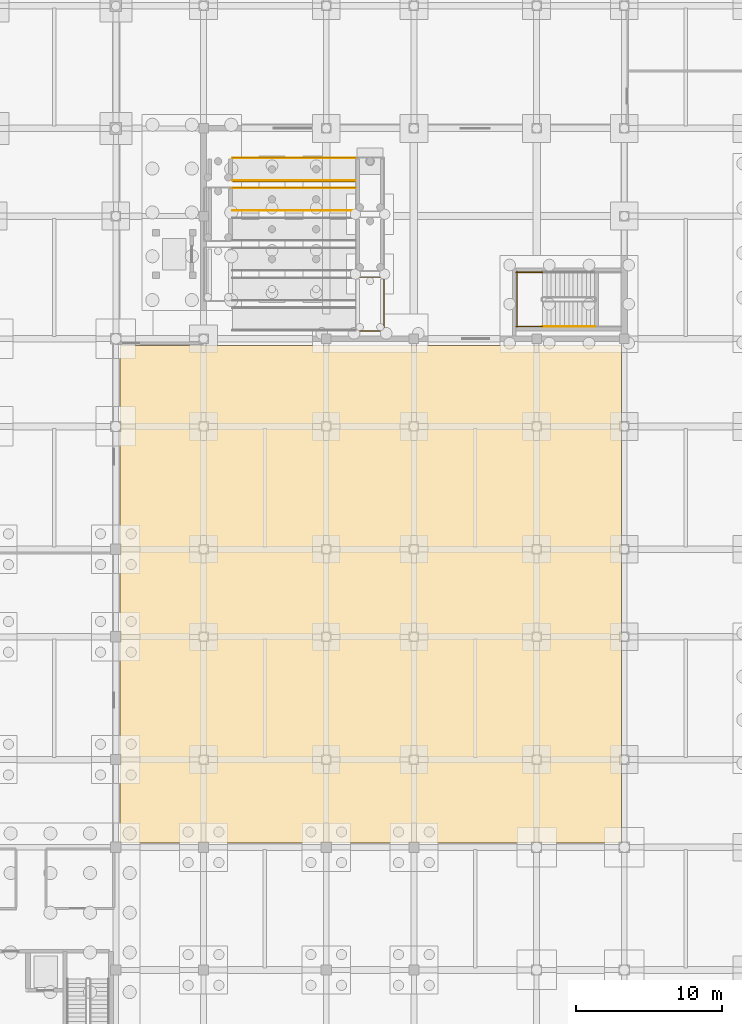
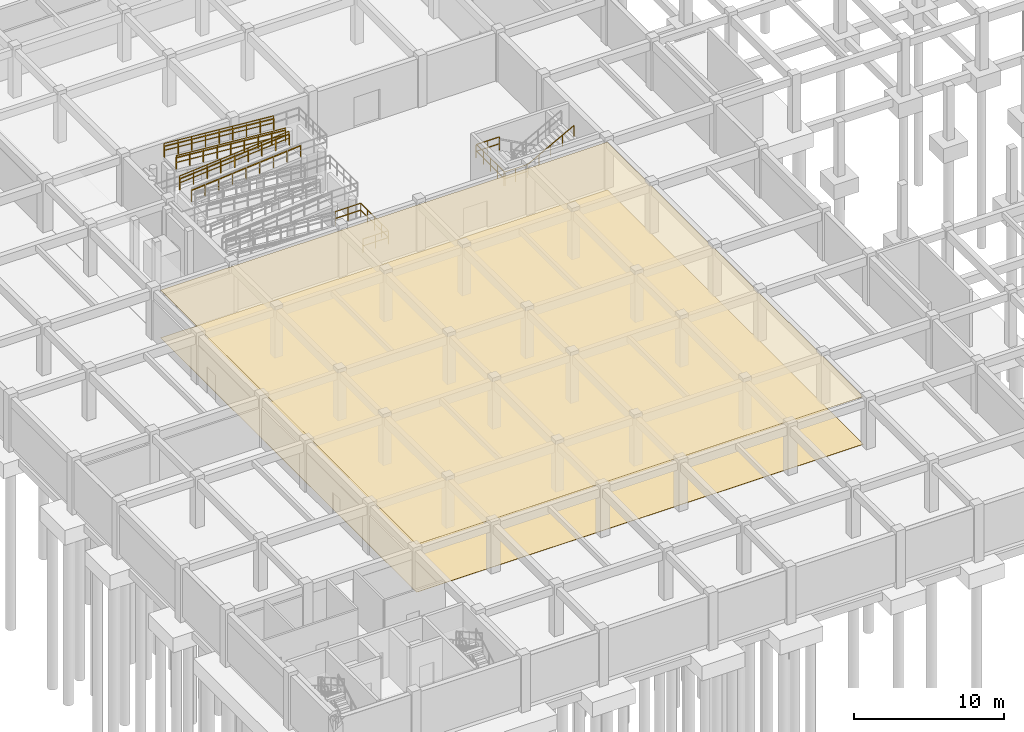
# One storey, part 35 of 40: 12 railings, 2 coverings.
"""IFC4 building model written with IfcOpenShell, lengths in metres."""

import ifcopenshell
import ifcopenshell.guid

model = None  # the IFC model being written
_history = None  # IfcOwnerHistory: only IFC2X3 demands one
_inside = {}  # id of a spatial element -> (the spatial element, [elements in it])
_under = {}  # id of a project, library or spatial element -> (it, [spatial elements below it])
_declared = {}  # id of a project -> (the project, [libraries it declares])
_typed = {}  # id of a type object -> (the type object, [elements of that type])
_made_of = {}  # id of a material, layer set ... -> (it, [elements and type objects made of it])


def new_model(schema):
    """Start an empty IFC model of exactly this schema.

    Asked for "IFC4X3", IfcOpenShell would pick the latest addendum, in which some entities
    have other attributes; the version numbers below select the first issue.
    IFC2X3 requires an IfcOwnerHistory on every rooted entity: one is made here for all.
    """
    global model, _history
    if schema == "IFC4X3":
        model = ifcopenshell.file(schema_version=(4, 3, 0, 0))
    else:
        model = ifcopenshell.file(schema=schema)
    _inside.clear()
    _under.clear()
    _declared.clear()
    _typed.clear()
    _made_of.clear()
    _history = None
    if model.schema == "IFC2X3":
        org = make("IfcOrganization", Name="unknown")
        user = make(
            "IfcPersonAndOrganization",
            ThePerson=make("IfcPerson", FamilyName="unknown"),
            TheOrganization=org,
        )
        app = make(
            "IfcApplication",
            ApplicationDeveloper=org,
            Version="unknown",
            ApplicationFullName="unknown",
            ApplicationIdentifier="unknown",
        )
        _history = make(
            "IfcOwnerHistory",
            OwningUser=user,
            OwningApplication=app,
            ChangeAction="ADDED",
            CreationDate=0,
        )
    return model


def make(cls, **values):
    """One entity of the class cls with the attributes given. An attribute that is None is left unset."""
    return model.create_entity(
        cls, **{name: value for name, value in values.items() if value is not None}
    )


def rooted(cls, **values):
    """An entity with a GlobalId (a new one), such as an element, a storey or a relation."""
    return make(cls, GlobalId=ifcopenshell.guid.new(), OwnerHistory=_history, **values)


def si_unit(unit_type, name, prefix=None):
    """IfcSIUnit, for example si_unit("LENGTHUNIT", "METRE", prefix="MILLI")."""
    return make("IfcSIUnit", UnitType=unit_type, Prefix=prefix, Name=name)


def assignment(units):
    """IfcUnitAssignment: the units of a project."""
    return None if units is None else make("IfcUnitAssignment", Units=units)


def point(xyz):
    """IfcCartesianPoint."""
    return None if xyz is None else make("IfcCartesianPoint", Coordinates=xyz)


def direction(xyz):
    """IfcDirection."""
    return None if xyz is None else make("IfcDirection", DirectionRatios=xyz)


def frame(location, z_axis=None, x_axis=None):
    """IfcAxis2Placement3D, a coordinate frame: its origin and axes. An axis left out is left unset."""
    return make(
        "IfcAxis2Placement3D",
        Location=point(location),
        Axis=direction(z_axis),
        RefDirection=direction(x_axis),
    )


def frame_2d(location, x_axis=None):
    """IfcAxis2Placement2D, a coordinate frame in the plane: its origin and x axis."""
    return make(
        "IfcAxis2Placement2D", Location=point(location), RefDirection=direction(x_axis)
    )


def origin():
    """The frame at (0, 0, 0) with its axes left unset."""
    return frame((0.0, 0.0, 0.0))


def origin_2d():
    """The frame at (0, 0) in the plane with its x axis left unset."""
    return frame_2d((0.0, 0.0))


def place(relative_to, where):
    """IfcLocalPlacement: puts the frame where relative to a parent placement (None: the world)."""
    return make(
        "IfcLocalPlacement", PlacementRelTo=relative_to, RelativePlacement=where
    )


def context(
    kind, dimensions, precision=None, world=None, true_north=None, identifier=None
):
    """IfcGeometricRepresentationContext, for example the 3D "Model" context."""
    return make(
        "IfcGeometricRepresentationContext",
        ContextIdentifier=identifier,
        ContextType=kind,
        CoordinateSpaceDimension=dimensions,
        Precision=precision,
        WorldCoordinateSystem=world,
        TrueNorth=true_north,
    )


def subcontext(parent, identifier, kind, view, scale=None):
    """IfcGeometricRepresentationSubContext, for example "Body" below "Model"."""
    return make(
        "IfcGeometricRepresentationSubContext",
        ContextIdentifier=identifier,
        ContextType=kind,
        ParentContext=parent,
        TargetScale=scale,
        TargetView=view,
    )


def project(units=None, contexts=None):
    """IfcProject with its units and contexts."""
    return rooted(
        "IfcProject",
        Name="project",
        RepresentationContexts=contexts,
        UnitsInContext=assignment(units),
    )


def spatial(cls, under=None, at=None, **own):
    """A site, building, storey or space (cls), placed at a placement, below another one or the project."""
    s = rooted(cls, ObjectPlacement=at, **own)
    if under is not None:
        _under.setdefault(under.id(), (under, []))[1].append(s)
    return s


def polyline(points):
    """IfcPolyline through the points."""
    return make("IfcPolyline", Points=[point(p) for p in points])


def profile(cls, at=None, kind="AREA", **sizes):
    """A parametric profile (cls). Its sizes go by their IFC names, for example OverallWidth=200.0."""
    return make(cls, ProfileType=kind, Position=at, **sizes)


def rectangle(**sizes):
    """IfcRectangleProfileDef."""
    return profile("IfcRectangleProfileDef", **sizes)


def outline(outer, holes=None, kind="AREA"):
    """IfcArbitraryClosedProfileDef: a profile drawn as a closed curve; with holes, ...WithVoids."""
    if holes is None:
        return make("IfcArbitraryClosedProfileDef", ProfileType=kind, OuterCurve=outer)
    return make(
        "IfcArbitraryProfileDefWithVoids",
        ProfileType=kind,
        OuterCurve=outer,
        InnerCurves=holes,
    )


def extrude(swept, where, along, depth):
    """IfcExtrudedAreaSolid: the profile swept, set in the frame where, extruded along a direction by depth."""
    return make(
        "IfcExtrudedAreaSolid",
        SweptArea=swept,
        Position=where,
        ExtrudedDirection=direction(along),
        Depth=depth,
    )


def shape(context_of_items, identifier, shape_type, items):
    """IfcShapeRepresentation: the items that make up one representation, for example the "Body"."""
    return make(
        "IfcShapeRepresentation",
        ContextOfItems=context_of_items,
        RepresentationIdentifier=identifier,
        RepresentationType=shape_type,
        Items=items,
    )


def material(Name=None, Category=None):
    """IfcMaterial."""
    return make("IfcMaterial", Name=Name, Category=Category)


def layer(
    of_material, thickness, ventilated=None, Name=None, Category=None, Priority=None
):
    """IfcMaterialLayer: one layer of a wall or slab, of a material (None: an air gap)."""
    return make(
        "IfcMaterialLayer",
        Material=of_material,
        LayerThickness=thickness,
        IsVentilated=ventilated,
        Name=Name,
        Category=Category,
        Priority=Priority,
    )


def layer_set(layers, Name=None):
    """IfcMaterialLayerSet."""
    return make("IfcMaterialLayerSet", MaterialLayers=layers, LayerSetName=Name)


def made_of(thing, what):
    """Note that an element or type object is made of a material, layer set ...; save() writes the relation."""
    if what is not None:
        _made_of.setdefault(what.id(), (what, []))[1].append(thing)
    return thing


def type_object(cls, material=None, **own):
    """A type object (cls), such as IfcWallType, which elements share."""
    return made_of(rooted(cls, **own), material)


def element(
    cls,
    number,
    at=None,
    inside=None,
    cuts=None,
    type_object=None,
    material=None,
    context=None,
    identifier="Body",
    shape_type=None,
    held_by="IfcProductDefinitionShape",
    body=None,
    shapes=None,
    **own,
):
    """One element of the class cls, such as IfcWall. Its Tag is "e" and its number.

    at: its placement. inside: the storey or other place that contains it. cuts: it is an
    opening in that element (IfcRelVoidsElement). A single representation is given by context,
    identifier, shape_type and body (its items); several are given by shapes. held_by: the class
    of the entity that holds the representations. save() writes the other relations.
    """
    e = rooted(cls, Tag="e%d" % number, ObjectPlacement=at, **own)
    if body is not None:
        shapes = [shape(context, identifier, shape_type, body)]
    if shapes is not None:
        e.Representation = make(held_by, Representations=shapes)
    if inside is not None:
        _inside.setdefault(inside.id(), (inside, []))[1].append(e)
    if cuts is not None:
        rooted(
            "IfcRelVoidsElement", RelatingBuildingElement=cuts, RelatedOpeningElement=e
        )
    if type_object is not None:
        _typed.setdefault(type_object.id(), (type_object, []))[1].append(e)
    return made_of(e, material)


def aggregate(whole, parts):
    """IfcRelAggregates: a whole, such as a stair, and the parts it consists of."""
    return rooted("IfcRelAggregates", RelatingObject=whole, RelatedObjects=parts)


def save(model, path):
    """Write the relations noted so far, then the file.

    IfcRelAggregates (storeys below a building ...), IfcRelContainedInSpatialStructure (elements
    in a storey), IfcRelDefinesByType, IfcRelAssociatesMaterial and IfcRelDeclares: one each for
    every whole, place, type object, material and project.
    """
    for whole, parts in _under.values():
        aggregate(whole, parts)
    for where, things in _inside.values():
        rooted(
            "IfcRelContainedInSpatialStructure",
            RelatedElements=things,
            RelatingStructure=where,
        )
    for kind, things in _typed.values():
        rooted("IfcRelDefinesByType", RelatedObjects=things, RelatingType=kind)
    for what, things in _made_of.values():
        rooted("IfcRelAssociatesMaterial", RelatedObjects=things, RelatingMaterial=what)
    for by, libraries in _declared.values():
        rooted("IfcRelDeclares", RelatingContext=by, RelatedDefinitions=libraries)
    model.write(path)


model = new_model("IFC4")

# Units and contexts
model_context = context("Model", 3, precision=1e-05, world=origin(), true_north=direction((0.0, 1.0)))
body_context = subcontext(model_context, "Body", "Model", "MODEL_VIEW")
ifc_project = project(units=[si_unit("LENGTHUNIT", "METRE"), si_unit("AREAUNIT", "SQUARE_METRE"), si_unit("VOLUMEUNIT", "CUBIC_METRE"), si_unit("PLANEANGLEUNIT", "RADIAN"), si_unit("MASSUNIT", "GRAM", prefix="KILO"), si_unit("THERMODYNAMICTEMPERATUREUNIT", "KELVIN")], contexts=[model_context])

# Site, building, storey
site_placement = place(None, origin())
site = spatial("IfcSite", under=ifc_project, at=site_placement, CompositionType="ELEMENT")
building_placement = place(site_placement, origin())
building = spatial("IfcBuilding", under=site, at=building_placement, Name="Thalorik Housing Commons", CompositionType="ELEMENT")
storey_placement = place(building_placement, frame((0.0, 0.0, -4.199951171875)))
storey = spatial("IfcBuildingStorey", under=building, at=storey_placement, Name="B1", CompositionType="ELEMENT", Elevation=-4.199951171875)

# Coverings
ifc_material_1 = material(Name="Moisture-resistant gypsum bathroom ceiling")
ifc_layer_1 = layer(ifc_material_1, 0.02490234375, Name="Moisture-resistant gypsum bathroom ceiling")
ifc_layer_set_1 = layer_set([ifc_layer_1], Name="Moisture-resistant gypsum bathroom ceiling")
covering_type_1 = type_object("IfcCoveringType", Name="ARC-COV-CEIL-04", PredefinedType="CEILING", material=ifc_layer_set_1)
covering_1_placement = place(storey_placement, frame((0.0, 0.0, 3.875)))
element("IfcCovering", 1, at=covering_1_placement, inside=storey, type_object=covering_type_1, Name="B1 Bicycle Storage Suspended Ceiling", PredefinedType="CEILING", context=body_context, shape_type="SweptSolid", body=[
    extrude(outline(polyline([(57.39990234375, 23.10009765625), (57.39990234375, 57.14990234375), (23.10009765625, 57.14990234375), (23.10009765625, 23.10009765625), (57.39990234375, 23.10009765625)])), origin(), (0.0, 0.0, 1.0), 0.02490234375),
])
ifc_material_2 = material(Name="Sprung Brazilian oak assembly hall timber floor", Category="wood")
ifc_layer_2 = layer(ifc_material_2, 0.02392578125, Name="Sprung Brazilian oak assembly hall timber floor", Category="wood")
ifc_layer_set_2 = layer_set([ifc_layer_2], Name="Sprung Brazilian oak assembly hall timber floor")
covering_type_2 = type_object("IfcCoveringType", Name="ARC-COV-FLR-04", PredefinedType="FLOORING", material=ifc_layer_set_2)
covering_2_placement = place(storey_placement, origin())
element("IfcCovering", 2, at=covering_2_placement, inside=storey, type_object=covering_type_2, Name="B1 Bicycle Storage Flooring", PredefinedType="FLOORING", context=body_context, shape_type="SweptSolid", body=[
    extrude(outline(polyline([(57.39990234375, 23.10009765625), (57.39990234375, 57.14990234375), (23.10009765625, 57.14990234375), (23.10009765625, 23.10009765625), (57.39990234375, 23.10009765625)])), origin(), (0.0, 0.0, 1.0), 0.02392578125),
])

# Railings
ifc_material_3 = material(Name="Steel S355", Category="steel")
railing_type_1 = type_object("IfcRailingType", Name="ARC-RL-RAMP-092", PredefinedType="HANDRAIL", material=ifc_material_3)
for number, where, name in (
    (3, (30.800048828125, 66.3798828125, 2.800048828125), "Metro Ramp Flight 5 S Handrail"),
    (4, (30.800048828125, 67.919921875, 2.800048828125), "Metro Ramp Flight 5 N Handrail"),
):
    element("IfcRailing", number, at=place(storey_placement, frame(where)), inside=storey, type_object=railing_type_1, Name=name, PredefinedType="HANDRAIL", context=body_context, shape_type="SweptSolid", body=[
        extrude(rectangle(XDim=0.048095703125, YDim=0.048095703125, at=origin_2d()), frame((0.0, 0.0, 0.89599609375), z_axis=(0.996546157741, 0.0, 0.08304068576), x_axis=(0.0, 1.0, 0.0)), (0.0, 0.0, 1.0), 8.428955078125),
        extrude(rectangle(XDim=0.0419921875, YDim=0.0419921875, at=origin_2d()), origin(), (0.0, 0.0, 1.0), 0.871826171875),
        extrude(rectangle(XDim=0.0419921875, YDim=0.0419921875, at=origin_2d()), frame((1.050048828125, 0.0, 0.08740234375)), (0.0, 0.0, 1.0), 0.871826171875),
        extrude(rectangle(XDim=0.0419921875, YDim=0.0419921875, at=origin_2d()), frame((2.10009765625, 0.0, 0.175048828125)), (0.0, 0.0, 1.0), 0.871826171875),
        extrude(rectangle(XDim=0.0419921875, YDim=0.0419921875, at=origin_2d()), frame((3.14990234375, 0.0, 0.262451171875)), (0.0, 0.0, 1.0), 0.871826171875),
        extrude(rectangle(XDim=0.0419921875, YDim=0.0419921875, at=origin_2d()), frame((4.199951171875, 0.0, 0.35009765625)), (0.0, 0.0, 1.0), 0.871826171875),
        extrude(rectangle(XDim=0.0419921875, YDim=0.0419921875, at=origin_2d()), frame((5.25, 0.0, 0.4375)), (0.0, 0.0, 1.0), 0.871826171875),
        extrude(rectangle(XDim=0.0419921875, YDim=0.0419921875, at=origin_2d()), frame((6.2998046875, 0.0, 0.52490234375)), (0.0, 0.0, 1.0), 0.871826171875),
        extrude(rectangle(XDim=0.0419921875, YDim=0.0419921875, at=origin_2d()), frame((7.349853515625, 0.0, 0.612548828125)), (0.0, 0.0, 1.0), 0.871826171875),
        extrude(rectangle(XDim=0.0419921875, YDim=0.0419921875, at=origin_2d()), frame((8.39990234375, 0.0, 0.699951171875)), (0.0, 0.0, 1.0), 0.871826171875),
    ])
for number, where, name in (
    (5, (39.199951171875, 68.429931640625, 3.5), "Metro Ramp Flight 6 S Handrail"),
    (6, (39.199951171875, 69.969970703125, 3.5), "Metro Ramp Flight 6 N Handrail"),
):
    element("IfcRailing", number, at=place(storey_placement, frame(where)), inside=storey, type_object=railing_type_1, Name=name, PredefinedType="HANDRAIL", context=body_context, shape_type="SweptSolid", body=[
        extrude(rectangle(XDim=0.048095703125, YDim=0.048095703125, at=origin_2d()), frame((0.0, 0.0, 0.89599609375), z_axis=(-0.996546157741, 0.0, 0.08304068576), x_axis=(0.0, -1.0, 0.0)), (0.0, 0.0, 1.0), 8.428955078125),
        extrude(rectangle(XDim=0.0419921875, YDim=0.0419921875, at=origin_2d()), origin(), (0.0, 0.0, 1.0), 0.871826171875),
        extrude(rectangle(XDim=0.0419921875, YDim=0.0419921875, at=origin_2d()), frame((-1.050048828125, 0.0, 0.08740234375)), (0.0, 0.0, 1.0), 0.871826171875),
        extrude(rectangle(XDim=0.0419921875, YDim=0.0419921875, at=origin_2d()), frame((-2.10009765625, 0.0, 0.175048828125)), (0.0, 0.0, 1.0), 0.871826171875),
        extrude(rectangle(XDim=0.0419921875, YDim=0.0419921875, at=origin_2d()), frame((-3.14990234375, 0.0, 0.262451171875)), (0.0, 0.0, 1.0), 0.871826171875),
        extrude(rectangle(XDim=0.0419921875, YDim=0.0419921875, at=origin_2d()), frame((-4.199951171875, 0.0, 0.35009765625)), (0.0, 0.0, 1.0), 0.871826171875),
        extrude(rectangle(XDim=0.0419921875, YDim=0.0419921875, at=origin_2d()), frame((-5.25, 0.0, 0.4375)), (0.0, 0.0, 1.0), 0.871826171875),
        extrude(rectangle(XDim=0.0419921875, YDim=0.0419921875, at=origin_2d()), frame((-6.2998046875, 0.0, 0.52490234375)), (0.0, 0.0, 1.0), 0.871826171875),
        extrude(rectangle(XDim=0.0419921875, YDim=0.0419921875, at=origin_2d()), frame((-7.349853515625, 0.0, 0.612548828125)), (0.0, 0.0, 1.0), 0.871826171875),
        extrude(rectangle(XDim=0.0419921875, YDim=0.0419921875, at=origin_2d()), frame((-8.39990234375, 0.0, 0.699951171875)), (0.0, 0.0, 1.0), 0.871826171875),
    ])
railing_type_2 = type_object("IfcRailingType", Name="ARC-RL-STR-GRD110", PredefinedType="GUARDRAIL", material=ifc_material_3)
for number, where, name in (
    (7, (52.0, 62.14990234375, 2.099853515625), "B1 ST-M1 stair guard 3"),
    (8, (52.0, 58.449951171875, 2.099853515625), "B1 ST-M1 stair guard 4"),
):
    element("IfcRailing", number, at=place(storey_placement, frame(where)), inside=storey, type_object=railing_type_2, Name=name, PredefinedType="GUARDRAIL", context=body_context, shape_type="SweptSolid", body=[
        extrude(rectangle(XDim=0.048095703125, YDim=0.048095703125, at=origin_2d()), frame((0.0, 0.0, 1.076171875), z_axis=(-1.0, 0.0, 0.0), x_axis=(0.0, -1.0, 0.0)), (0.0, 0.0, 1.0), 1.800048828125),
        extrude(rectangle(XDim=0.048095703125, YDim=0.048095703125, at=origin_2d()), frame((0.0, 0.0, 0.52587890625), z_axis=(-1.0, 0.0, 0.0), x_axis=(0.0, -1.0, 0.0)), (0.0, 0.0, 1.0), 1.800048828125),
        extrude(rectangle(XDim=0.0419921875, YDim=0.0419921875, at=origin_2d()), origin(), (0.0, 0.0, 1.0), 1.052001953125),
        extrude(rectangle(XDim=0.0419921875, YDim=0.0419921875, at=origin_2d()), frame((-0.89990234375, 0.0, 0.0)), (0.0, 0.0, 1.0), 1.052001953125),
        extrude(rectangle(XDim=0.0419921875, YDim=0.0419921875, at=origin_2d()), frame((-1.800048828125, 0.0, 0.0)), (0.0, 0.0, 1.0), 1.052001953125),
    ])
railing_1_placement = place(storey_placement, frame((50.25, 62.199951171875, 2.099853515625)))
element("IfcRailing", 9, at=railing_1_placement, inside=storey, type_object=railing_type_2, Name="B1 ST-M1 stair guard 5", PredefinedType="GUARDRAIL", context=body_context, shape_type="SweptSolid", body=[
    extrude(rectangle(XDim=0.048095703125, YDim=0.048095703125, at=origin_2d()), frame((0.0, 0.0, 1.076171875), z_axis=(0.0, -1.0, 0.0), x_axis=(1.0, 0.0, 0.0)), (0.0, 0.0, 1.0), 3.800048828125),
    extrude(rectangle(XDim=0.048095703125, YDim=0.048095703125, at=origin_2d()), frame((0.0, 0.0, 0.52587890625), z_axis=(0.0, -1.0, 0.0), x_axis=(1.0, 0.0, 0.0)), (0.0, 0.0, 1.0), 3.800048828125),
    extrude(rectangle(XDim=0.0419921875, YDim=0.0419921875, at=origin_2d()), origin(), (0.0, 0.0, 1.0), 1.052001953125),
    extrude(rectangle(XDim=0.0419921875, YDim=0.0419921875, at=origin_2d()), frame((0.0, -0.949951171875, 0.0)), (0.0, 0.0, 1.0), 1.052001953125),
    extrude(rectangle(XDim=0.0419921875, YDim=0.0419921875, at=origin_2d()), frame((0.0, -1.89990234375, 0.0)), (0.0, 0.0, 1.0), 1.052001953125),
    extrude(rectangle(XDim=0.0419921875, YDim=0.0419921875, at=origin_2d()), frame((0.0, -2.85009765625, 0.0)), (0.0, 0.0, 1.0), 1.052001953125),
    extrude(rectangle(XDim=0.0419921875, YDim=0.0419921875, at=origin_2d()), frame((0.0, -3.800048828125, 0.0)), (0.0, 0.0, 1.0), 1.052001953125),
])
railing_type_3 = type_object("IfcRailingType", Name="ARC-RL-STR-HR092", PredefinedType="HANDRAIL", material=ifc_material_3)
railing_2_placement = place(storey_placement, frame((52.0, 58.449951171875, 2.261474609375)))
element("IfcRailing", 10, at=railing_2_placement, inside=storey, type_object=railing_type_3, Name="B1 ST-M1 stair handrail 2", PredefinedType="HANDRAIL", context=body_context, shape_type="SweptSolid", body=[
    extrude(rectangle(XDim=0.048095703125, YDim=0.048095703125, at=origin_2d()), frame((0.0, 0.0, 0.89599609375), z_axis=(0.880474934443, 0.0, 0.474092701714), x_axis=(0.0, 1.0, 0.0)), (0.0, 0.0, 1.0), 4.0888671875),
    extrude(rectangle(XDim=0.0419921875, YDim=0.0419921875, at=origin_2d()), origin(), (0.0, 0.0, 1.0), 0.871826171875),
    extrude(rectangle(XDim=0.0419921875, YDim=0.0419921875, at=origin_2d()), frame((0.89990234375, 0.0, 0.484619140625)), (0.0, 0.0, 1.0), 0.871826171875),
    extrude(rectangle(XDim=0.0419921875, YDim=0.0419921875, at=origin_2d()), frame((1.800048828125, 0.0, 0.96923828125)), (0.0, 0.0, 1.0), 0.871826171875),
    extrude(rectangle(XDim=0.0419921875, YDim=0.0419921875, at=origin_2d()), frame((2.7001953125, 0.0, 1.453857421875)), (0.0, 0.0, 1.0), 0.871826171875),
    extrude(rectangle(XDim=0.0419921875, YDim=0.0419921875, at=origin_2d()), frame((3.60009765625, 0.0, 1.9384765625)), (0.0, 0.0, 1.0), 0.871826171875),
])
railing_type_4 = type_object("IfcRailingType", Name="ARC-RL-VOID-112", PredefinedType="GUARDRAIL", material=ifc_material_3)
railing_3_placement = place(storey_placement, frame((30.800048828125, 67.9599609375, 2.800048828125)))
element("IfcRailing", 11, at=railing_3_placement, inside=storey, type_object=railing_type_4, Name="Metro Ramp Flight 5 N Guardrail", PredefinedType="GUARDRAIL", context=body_context, shape_type="SweptSolid", body=[
    extrude(rectangle(XDim=0.048095703125, YDim=0.048095703125, at=origin_2d()), frame((0.0, 0.0, 1.09619140625), z_axis=(0.996546157741, 0.0, 0.08304068576), x_axis=(0.0, 1.0, 0.0)), (0.0, 0.0, 1.0), 8.428955078125),
    extrude(rectangle(XDim=0.048095703125, YDim=0.048095703125, at=origin_2d()), frame((0.0, 0.0, 0.5361328125), z_axis=(0.996546157741, 0.0, 0.08304068576), x_axis=(0.0, 1.0, 0.0)), (0.0, 0.0, 1.0), 8.428955078125),
    extrude(rectangle(XDim=0.0419921875, YDim=0.0419921875, at=origin_2d()), origin(), (0.0, 0.0, 1.0), 1.072021484375),
    extrude(rectangle(XDim=0.0419921875, YDim=0.0419921875, at=origin_2d()), frame((1.050048828125, 0.0, 0.08740234375)), (0.0, 0.0, 1.0), 1.072021484375),
    extrude(rectangle(XDim=0.0419921875, YDim=0.0419921875, at=origin_2d()), frame((2.10009765625, 0.0, 0.175048828125)), (0.0, 0.0, 1.0), 1.072021484375),
    extrude(rectangle(XDim=0.0419921875, YDim=0.0419921875, at=origin_2d()), frame((3.14990234375, 0.0, 0.262451171875)), (0.0, 0.0, 1.0), 1.072021484375),
    extrude(rectangle(XDim=0.0419921875, YDim=0.0419921875, at=origin_2d()), frame((4.199951171875, 0.0, 0.35009765625)), (0.0, 0.0, 1.0), 1.072021484375),
    extrude(rectangle(XDim=0.0419921875, YDim=0.0419921875, at=origin_2d()), frame((5.25, 0.0, 0.4375)), (0.0, 0.0, 1.0), 1.072021484375),
    extrude(rectangle(XDim=0.0419921875, YDim=0.0419921875, at=origin_2d()), frame((6.2998046875, 0.0, 0.52490234375)), (0.0, 0.0, 1.0), 1.072021484375),
    extrude(rectangle(XDim=0.0419921875, YDim=0.0419921875, at=origin_2d()), frame((7.349853515625, 0.0, 0.612548828125)), (0.0, 0.0, 1.0), 1.072021484375),
    extrude(rectangle(XDim=0.0419921875, YDim=0.0419921875, at=origin_2d()), frame((8.39990234375, 0.0, 0.699951171875)), (0.0, 0.0, 1.0), 1.072021484375),
])
railing_4_placement = place(storey_placement, frame((39.199951171875, 68.389892578125, 3.5)))
element("IfcRailing", 12, at=railing_4_placement, inside=storey, type_object=railing_type_4, Name="Metro Ramp Flight 6 S Guardrail", PredefinedType="GUARDRAIL", context=body_context, shape_type="SweptSolid", body=[
    extrude(rectangle(XDim=0.048095703125, YDim=0.048095703125, at=origin_2d()), frame((0.0, 0.0, 1.09619140625), z_axis=(-0.996546157741, 0.0, 0.08304068576), x_axis=(0.0, -1.0, 0.0)), (0.0, 0.0, 1.0), 8.428955078125),
    extrude(rectangle(XDim=0.048095703125, YDim=0.048095703125, at=origin_2d()), frame((0.0, 0.0, 0.5361328125), z_axis=(-0.996546157741, 0.0, 0.08304068576), x_axis=(0.0, -1.0, 0.0)), (0.0, 0.0, 1.0), 8.428955078125),
    extrude(rectangle(XDim=0.0419921875, YDim=0.0419921875, at=origin_2d()), origin(), (0.0, 0.0, 1.0), 1.072021484375),
    extrude(rectangle(XDim=0.0419921875, YDim=0.0419921875, at=origin_2d()), frame((-1.050048828125, 0.0, 0.08740234375)), (0.0, 0.0, 1.0), 1.072021484375),
    extrude(rectangle(XDim=0.0419921875, YDim=0.0419921875, at=origin_2d()), frame((-2.10009765625, 0.0, 0.175048828125)), (0.0, 0.0, 1.0), 1.072021484375),
    extrude(rectangle(XDim=0.0419921875, YDim=0.0419921875, at=origin_2d()), frame((-3.14990234375, 0.0, 0.262451171875)), (0.0, 0.0, 1.0), 1.072021484375),
    extrude(rectangle(XDim=0.0419921875, YDim=0.0419921875, at=origin_2d()), frame((-4.199951171875, 0.0, 0.35009765625)), (0.0, 0.0, 1.0), 1.072021484375),
    extrude(rectangle(XDim=0.0419921875, YDim=0.0419921875, at=origin_2d()), frame((-5.25, 0.0, 0.4375)), (0.0, 0.0, 1.0), 1.072021484375),
    extrude(rectangle(XDim=0.0419921875, YDim=0.0419921875, at=origin_2d()), frame((-6.2998046875, 0.0, 0.52490234375)), (0.0, 0.0, 1.0), 1.072021484375),
    extrude(rectangle(XDim=0.0419921875, YDim=0.0419921875, at=origin_2d()), frame((-7.349853515625, 0.0, 0.612548828125)), (0.0, 0.0, 1.0), 1.072021484375),
    extrude(rectangle(XDim=0.0419921875, YDim=0.0419921875, at=origin_2d()), frame((-8.39990234375, 0.0, 0.699951171875)), (0.0, 0.0, 1.0), 1.072021484375),
])
railing_5_placement = place(storey_placement, frame((39.199951171875, 70.010009765625, 3.5)))
element("IfcRailing", 13, at=railing_5_placement, inside=storey, type_object=railing_type_4, Name="Metro Ramp Flight 6 N Guardrail", PredefinedType="GUARDRAIL", context=body_context, shape_type="SweptSolid", body=[
    extrude(rectangle(XDim=0.048095703125, YDim=0.048095703125, at=origin_2d()), frame((0.0, 0.0, 1.09619140625), z_axis=(-0.996546157741, 0.0, 0.08304068576), x_axis=(0.0, -1.0, 0.0)), (0.0, 0.0, 1.0), 8.428955078125),
    extrude(rectangle(XDim=0.048095703125, YDim=0.048095703125, at=origin_2d()), frame((0.0, 0.0, 0.5361328125), z_axis=(-0.996546157741, 0.0, 0.08304068576), x_axis=(0.0, -1.0, 0.0)), (0.0, 0.0, 1.0), 8.428955078125),
    extrude(rectangle(XDim=0.0419921875, YDim=0.0419921875, at=origin_2d()), origin(), (0.0, 0.0, 1.0), 1.072021484375),
    extrude(rectangle(XDim=0.0419921875, YDim=0.0419921875, at=origin_2d()), frame((-1.050048828125, 0.0, 0.08740234375)), (0.0, 0.0, 1.0), 1.072021484375),
    extrude(rectangle(XDim=0.0419921875, YDim=0.0419921875, at=origin_2d()), frame((-2.10009765625, 0.0, 0.175048828125)), (0.0, 0.0, 1.0), 1.072021484375),
    extrude(rectangle(XDim=0.0419921875, YDim=0.0419921875, at=origin_2d()), frame((-3.14990234375, 0.0, 0.262451171875)), (0.0, 0.0, 1.0), 1.072021484375),
    extrude(rectangle(XDim=0.0419921875, YDim=0.0419921875, at=origin_2d()), frame((-4.199951171875, 0.0, 0.35009765625)), (0.0, 0.0, 1.0), 1.072021484375),
    extrude(rectangle(XDim=0.0419921875, YDim=0.0419921875, at=origin_2d()), frame((-5.25, 0.0, 0.4375)), (0.0, 0.0, 1.0), 1.072021484375),
    extrude(rectangle(XDim=0.0419921875, YDim=0.0419921875, at=origin_2d()), frame((-6.2998046875, 0.0, 0.52490234375)), (0.0, 0.0, 1.0), 1.072021484375),
    extrude(rectangle(XDim=0.0419921875, YDim=0.0419921875, at=origin_2d()), frame((-7.349853515625, 0.0, 0.612548828125)), (0.0, 0.0, 1.0), 1.072021484375),
    extrude(rectangle(XDim=0.0419921875, YDim=0.0419921875, at=origin_2d()), frame((-8.39990234375, 0.0, 0.699951171875)), (0.0, 0.0, 1.0), 1.072021484375),
])
railing_6_placement = place(storey_placement, frame((39.199951171875, 58.139892578125, 0.699951171875)))
element("IfcRailing", 14, at=railing_6_placement, inside=storey, type_object=railing_type_4, Name="Metro Ramp Landing 1 Guardrail", PredefinedType="GUARDRAIL", context=body_context, shape_type="SweptSolid", body=[
    extrude(rectangle(XDim=0.048095703125, YDim=0.048095703125, at=origin_2d()), frame((0.0, 0.0, 1.09619140625), z_axis=(1.0, 0.0, 0.0), x_axis=(0.0, 1.0, 0.0)), (0.0, 0.0, 1.0), 1.9599609375),
    extrude(rectangle(XDim=0.048095703125, YDim=0.048095703125, at=origin_2d()), frame((0.0, 0.0, 0.5361328125), z_axis=(1.0, 0.0, 0.0), x_axis=(0.0, 1.0, 0.0)), (0.0, 0.0, 1.0), 1.9599609375),
    extrude(rectangle(XDim=0.048095703125, YDim=0.048095703125, at=origin_2d()), frame((1.9599609375, 0.0, 1.09619140625), z_axis=(0.0, 1.0, 0.0), x_axis=(-1.0, 0.0, 0.0)), (0.0, 0.0, 1.0), 3.670166015625),
    extrude(rectangle(XDim=0.048095703125, YDim=0.048095703125, at=origin_2d()), frame((1.9599609375, 0.0, 0.5361328125), z_axis=(0.0, 1.0, 0.0), x_axis=(-1.0, 0.0, 0.0)), (0.0, 0.0, 1.0), 3.670166015625),
    extrude(rectangle(XDim=0.048095703125, YDim=0.048095703125, at=origin_2d()), frame((1.9599609375, 3.670166015625, 1.09619140625), z_axis=(-1.0, 0.0, 0.0), x_axis=(0.0, -1.0, 0.0)), (0.0, 0.0, 1.0), 1.9599609375),
    extrude(rectangle(XDim=0.048095703125, YDim=0.048095703125, at=origin_2d()), frame((1.9599609375, 3.670166015625, 0.5361328125), z_axis=(-1.0, 0.0, 0.0), x_axis=(0.0, -1.0, 0.0)), (0.0, 0.0, 1.0), 1.9599609375),
    extrude(rectangle(XDim=0.0419921875, YDim=0.0419921875, at=origin_2d()), origin(), (0.0, 0.0, 1.0), 1.072021484375),
    extrude(rectangle(XDim=0.0419921875, YDim=0.0419921875, at=origin_2d()), frame((0.97998046875, 0.0, 0.0)), (0.0, 0.0, 1.0), 1.072021484375),
    extrude(rectangle(XDim=0.0419921875, YDim=0.0419921875, at=origin_2d()), frame((1.9599609375, 0.0, 0.0)), (0.0, 0.0, 1.0), 1.072021484375),
    extrude(rectangle(XDim=0.0419921875, YDim=0.0419921875, at=origin_2d()), frame((1.9599609375, 0.91748046875, 0.0)), (0.0, 0.0, 1.0), 1.072021484375),
    extrude(rectangle(XDim=0.0419921875, YDim=0.0419921875, at=origin_2d()), frame((1.9599609375, 1.8349609375, 0.0)), (0.0, 0.0, 1.0), 1.072021484375),
    extrude(rectangle(XDim=0.0419921875, YDim=0.0419921875, at=origin_2d()), frame((1.9599609375, 2.752685546875, 0.0)), (0.0, 0.0, 1.0), 1.072021484375),
    extrude(rectangle(XDim=0.0419921875, YDim=0.0419921875, at=origin_2d()), frame((1.9599609375, 3.670166015625, 0.0)), (0.0, 0.0, 1.0), 1.072021484375),
    extrude(rectangle(XDim=0.0419921875, YDim=0.0419921875, at=origin_2d()), frame((0.97998046875, 3.670166015625, 0.0)), (0.0, 0.0, 1.0), 1.072021484375),
    extrude(rectangle(XDim=0.0419921875, YDim=0.0419921875, at=origin_2d()), frame((0.0, 3.670166015625, 0.0)), (0.0, 0.0, 1.0), 1.072021484375),
])

save(model, "model.ifc")
